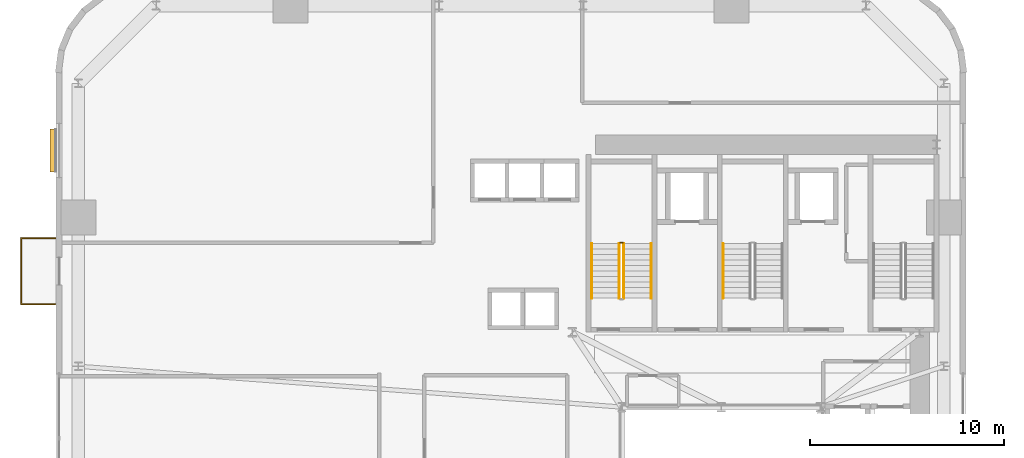
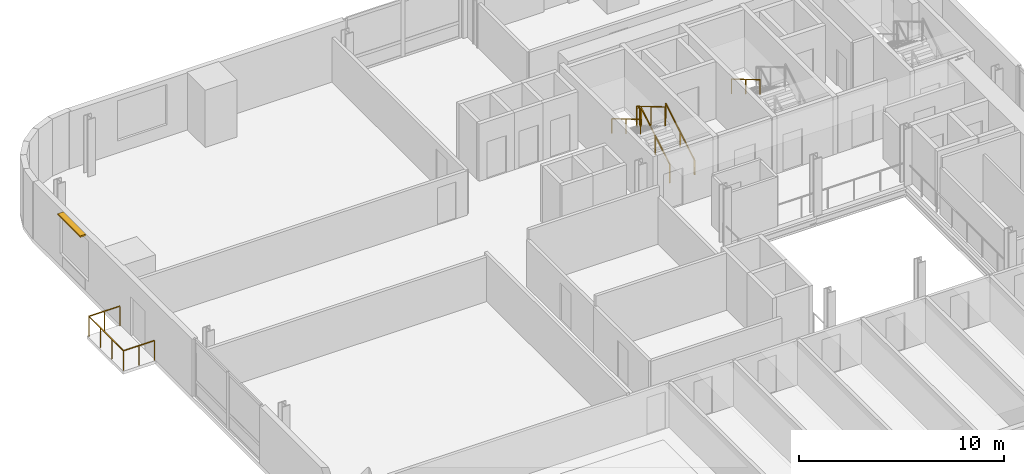
# One storey, part 12 of 13: 7 railings, 1 shading device.
"""IFC4 building model written with IfcOpenShell, lengths in metres."""

import ifcopenshell
import ifcopenshell.guid

model = None  # the IFC model being written
_history = None  # IfcOwnerHistory: only IFC2X3 demands one
_inside = {}  # id of a spatial element -> (the spatial element, [elements in it])
_under = {}  # id of a project, library or spatial element -> (it, [spatial elements below it])
_declared = {}  # id of a project -> (the project, [libraries it declares])
_typed = {}  # id of a type object -> (the type object, [elements of that type])
_made_of = {}  # id of a material, layer set ... -> (it, [elements and type objects made of it])


def new_model(schema):
    """Start an empty IFC model of exactly this schema.

    Asked for "IFC4X3", IfcOpenShell would pick the latest addendum, in which some entities
    have other attributes; the version numbers below select the first issue.
    IFC2X3 requires an IfcOwnerHistory on every rooted entity: one is made here for all.
    """
    global model, _history
    if schema == "IFC4X3":
        model = ifcopenshell.file(schema_version=(4, 3, 0, 0))
    else:
        model = ifcopenshell.file(schema=schema)
    _inside.clear()
    _under.clear()
    _declared.clear()
    _typed.clear()
    _made_of.clear()
    _history = None
    if model.schema == "IFC2X3":
        org = make("IfcOrganization", Name="unknown")
        user = make(
            "IfcPersonAndOrganization",
            ThePerson=make("IfcPerson", FamilyName="unknown"),
            TheOrganization=org,
        )
        app = make(
            "IfcApplication",
            ApplicationDeveloper=org,
            Version="unknown",
            ApplicationFullName="unknown",
            ApplicationIdentifier="unknown",
        )
        _history = make(
            "IfcOwnerHistory",
            OwningUser=user,
            OwningApplication=app,
            ChangeAction="ADDED",
            CreationDate=0,
        )
    return model


def make(cls, **values):
    """One entity of the class cls with the attributes given. An attribute that is None is left unset."""
    return model.create_entity(
        cls, **{name: value for name, value in values.items() if value is not None}
    )


def rooted(cls, **values):
    """An entity with a GlobalId (a new one), such as an element, a storey or a relation."""
    return make(cls, GlobalId=ifcopenshell.guid.new(), OwnerHistory=_history, **values)


def si_unit(unit_type, name, prefix=None):
    """IfcSIUnit, for example si_unit("LENGTHUNIT", "METRE", prefix="MILLI")."""
    return make("IfcSIUnit", UnitType=unit_type, Prefix=prefix, Name=name)


def assignment(units):
    """IfcUnitAssignment: the units of a project."""
    return None if units is None else make("IfcUnitAssignment", Units=units)


def point(xyz):
    """IfcCartesianPoint."""
    return None if xyz is None else make("IfcCartesianPoint", Coordinates=xyz)


def direction(xyz):
    """IfcDirection."""
    return None if xyz is None else make("IfcDirection", DirectionRatios=xyz)


def frame(location, z_axis=None, x_axis=None):
    """IfcAxis2Placement3D, a coordinate frame: its origin and axes. An axis left out is left unset."""
    return make(
        "IfcAxis2Placement3D",
        Location=point(location),
        Axis=direction(z_axis),
        RefDirection=direction(x_axis),
    )


def frame_2d(location, x_axis=None):
    """IfcAxis2Placement2D, a coordinate frame in the plane: its origin and x axis."""
    return make(
        "IfcAxis2Placement2D", Location=point(location), RefDirection=direction(x_axis)
    )


def origin():
    """The frame at (0, 0, 0) with its axes left unset."""
    return frame((0.0, 0.0, 0.0))


def origin_2d():
    """The frame at (0, 0) in the plane with its x axis left unset."""
    return frame_2d((0.0, 0.0))


def place(relative_to, where):
    """IfcLocalPlacement: puts the frame where relative to a parent placement (None: the world)."""
    return make(
        "IfcLocalPlacement", PlacementRelTo=relative_to, RelativePlacement=where
    )


def context(
    kind, dimensions, precision=None, world=None, true_north=None, identifier=None
):
    """IfcGeometricRepresentationContext, for example the 3D "Model" context."""
    return make(
        "IfcGeometricRepresentationContext",
        ContextIdentifier=identifier,
        ContextType=kind,
        CoordinateSpaceDimension=dimensions,
        Precision=precision,
        WorldCoordinateSystem=world,
        TrueNorth=true_north,
    )


def subcontext(parent, identifier, kind, view, scale=None):
    """IfcGeometricRepresentationSubContext, for example "Body" below "Model"."""
    return make(
        "IfcGeometricRepresentationSubContext",
        ContextIdentifier=identifier,
        ContextType=kind,
        ParentContext=parent,
        TargetScale=scale,
        TargetView=view,
    )


def project(units=None, contexts=None):
    """IfcProject with its units and contexts."""
    return rooted(
        "IfcProject",
        Name="project",
        RepresentationContexts=contexts,
        UnitsInContext=assignment(units),
    )


def spatial(cls, under=None, at=None, **own):
    """A site, building, storey or space (cls), placed at a placement, below another one or the project."""
    s = rooted(cls, ObjectPlacement=at, **own)
    if under is not None:
        _under.setdefault(under.id(), (under, []))[1].append(s)
    return s


def profile(cls, at=None, kind="AREA", **sizes):
    """A parametric profile (cls). Its sizes go by their IFC names, for example OverallWidth=200.0."""
    return make(cls, ProfileType=kind, Position=at, **sizes)


def rectangle(**sizes):
    """IfcRectangleProfileDef."""
    return profile("IfcRectangleProfileDef", **sizes)


def extrude(swept, where, along, depth):
    """IfcExtrudedAreaSolid: the profile swept, set in the frame where, extruded along a direction by depth."""
    return make(
        "IfcExtrudedAreaSolid",
        SweptArea=swept,
        Position=where,
        ExtrudedDirection=direction(along),
        Depth=depth,
    )


def shape(context_of_items, identifier, shape_type, items):
    """IfcShapeRepresentation: the items that make up one representation, for example the "Body"."""
    return make(
        "IfcShapeRepresentation",
        ContextOfItems=context_of_items,
        RepresentationIdentifier=identifier,
        RepresentationType=shape_type,
        Items=items,
    )


def source(mapping_origin, context_of_items, identifier, shape_type, items):
    """IfcRepresentationMap: a shape defined once, which mapped items show again and again."""
    return make(
        "IfcRepresentationMap",
        MappingOrigin=mapping_origin,
        MappedRepresentation=shape(context_of_items, identifier, shape_type, items),
    )


def transform(
    local_origin,
    x_axis=None,
    y_axis=None,
    z_axis=None,
    scale=None,
    scale2=None,
    scale3=None,
    uniform=True,
):
    """IfcCartesianTransformationOperator3D, or its non-uniform kind. x_axis, y_axis, z_axis: its Axis1, 2, 3."""
    if uniform:
        return make(
            "IfcCartesianTransformationOperator3D",
            Axis1=direction(x_axis),
            Axis2=direction(y_axis),
            LocalOrigin=point(local_origin),
            Scale=scale,
            Axis3=direction(z_axis),
        )
    return make(
        "IfcCartesianTransformationOperator3DnonUniform",
        Axis1=direction(x_axis),
        Axis2=direction(y_axis),
        LocalOrigin=point(local_origin),
        Scale=scale,
        Axis3=direction(z_axis),
        Scale2=scale2,
        Scale3=scale3,
    )


def mapped(mapping_source, mapping_target):
    """IfcMappedItem: shows the shape of a source again, moved by a transform."""
    return make(
        "IfcMappedItem", MappingSource=mapping_source, MappingTarget=mapping_target
    )


def material(Name=None, Category=None):
    """IfcMaterial."""
    return make("IfcMaterial", Name=Name, Category=Category)


def layer(
    of_material, thickness, ventilated=None, Name=None, Category=None, Priority=None
):
    """IfcMaterialLayer: one layer of a wall or slab, of a material (None: an air gap)."""
    return make(
        "IfcMaterialLayer",
        Material=of_material,
        LayerThickness=thickness,
        IsVentilated=ventilated,
        Name=Name,
        Category=Category,
        Priority=Priority,
    )


def layer_set(layers, Name=None):
    """IfcMaterialLayerSet."""
    return make("IfcMaterialLayerSet", MaterialLayers=layers, LayerSetName=Name)


def made_of(thing, what):
    """Note that an element or type object is made of a material, layer set ...; save() writes the relation."""
    if what is not None:
        _made_of.setdefault(what.id(), (what, []))[1].append(thing)
    return thing


def type_object(cls, material=None, **own):
    """A type object (cls), such as IfcWallType, which elements share."""
    return made_of(rooted(cls, **own), material)


def element(
    cls,
    number,
    at=None,
    inside=None,
    cuts=None,
    type_object=None,
    material=None,
    context=None,
    identifier="Body",
    shape_type=None,
    held_by="IfcProductDefinitionShape",
    body=None,
    shapes=None,
    **own,
):
    """One element of the class cls, such as IfcWall. Its Tag is "e" and its number.

    at: its placement. inside: the storey or other place that contains it. cuts: it is an
    opening in that element (IfcRelVoidsElement). A single representation is given by context,
    identifier, shape_type and body (its items); several are given by shapes. held_by: the class
    of the entity that holds the representations. save() writes the other relations.
    """
    e = rooted(cls, Tag="e%d" % number, ObjectPlacement=at, **own)
    if body is not None:
        shapes = [shape(context, identifier, shape_type, body)]
    if shapes is not None:
        e.Representation = make(held_by, Representations=shapes)
    if inside is not None:
        _inside.setdefault(inside.id(), (inside, []))[1].append(e)
    if cuts is not None:
        rooted(
            "IfcRelVoidsElement", RelatingBuildingElement=cuts, RelatedOpeningElement=e
        )
    if type_object is not None:
        _typed.setdefault(type_object.id(), (type_object, []))[1].append(e)
    return made_of(e, material)


def aggregate(whole, parts):
    """IfcRelAggregates: a whole, such as a stair, and the parts it consists of."""
    return rooted("IfcRelAggregates", RelatingObject=whole, RelatedObjects=parts)


def save(model, path):
    """Write the relations noted so far, then the file.

    IfcRelAggregates (storeys below a building ...), IfcRelContainedInSpatialStructure (elements
    in a storey), IfcRelDefinesByType, IfcRelAssociatesMaterial and IfcRelDeclares: one each for
    every whole, place, type object, material and project.
    """
    for whole, parts in _under.values():
        aggregate(whole, parts)
    for where, things in _inside.values():
        rooted(
            "IfcRelContainedInSpatialStructure",
            RelatedElements=things,
            RelatingStructure=where,
        )
    for kind, things in _typed.values():
        rooted("IfcRelDefinesByType", RelatedObjects=things, RelatingType=kind)
    for what, things in _made_of.values():
        rooted("IfcRelAssociatesMaterial", RelatedObjects=things, RelatingMaterial=what)
    for by, libraries in _declared.values():
        rooted("IfcRelDeclares", RelatingContext=by, RelatedDefinitions=libraries)
    model.write(path)


model = new_model("IFC4")

# Units and contexts
model_context = context("Model", 3, precision=1e-05, world=origin(), true_north=direction((0.0, 1.0)))
body_context = subcontext(model_context, "Body", "Model", "MODEL_VIEW")
ifc_project = project(units=[si_unit("LENGTHUNIT", "METRE"), si_unit("AREAUNIT", "SQUARE_METRE"), si_unit("VOLUMEUNIT", "CUBIC_METRE"), si_unit("PLANEANGLEUNIT", "RADIAN"), si_unit("MASSUNIT", "GRAM", prefix="KILO")], contexts=[model_context])

# Site, building, storey
site_placement = place(None, origin())
site = spatial("IfcSite", under=ifc_project, at=site_placement, CompositionType="ELEMENT")
building_placement = place(site_placement, origin())
building = spatial("IfcBuilding", under=site, at=building_placement, Name="Vardaveli Station Tower", CompositionType="ELEMENT")
storey_placement = place(building_placement, frame((0.0, 0.0, 64.10009765625)))
storey = spatial("IfcBuildingStorey", under=building, at=storey_placement, Name="L16", CompositionType="ELEMENT", Elevation=64.10009765625)

# Railing
ifc_material_1 = material(Name="Laminated glass and stainless steel balustrade", Category="steel")
railing_type_1 = type_object("IfcRailingType", Name="RL-BAL-1200", PredefinedType="BALUSTRADE", material=ifc_material_1)
shared_shape_1 = source(origin(), body_context, "Body", "SweptSolid", [
    extrude(rectangle(XDim=0.048095703125, YDim=0.048095703125, at=origin_2d()), frame((0.0, 0.0, 1.17578125), z_axis=(-1.0, 0.0, 0.0), x_axis=(0.0, -1.0, 0.0)), (0.0, 0.0, 1.0), 1.75),
    extrude(rectangle(XDim=0.048095703125, YDim=0.048095703125, at=origin_2d()), frame((-1.75, 0.0, 1.17578125), z_axis=(0.0, 1.0, 0.0), x_axis=(-1.0, 0.0, 0.0)), (0.0, 0.0, 1.0), 3.3798828125),
    extrude(rectangle(XDim=0.048095703125, YDim=0.048095703125, at=origin_2d()), frame((-1.75, 3.3798828125, 1.17578125), z_axis=(1.0, 0.0, 0.0), x_axis=(0.0, 1.0, 0.0)), (0.0, 0.0, 1.0), 1.75),
    extrude(rectangle(XDim=0.0419921875, YDim=0.0419921875, at=origin_2d()), origin(), (0.0, 0.0, 1.0), 1.15185546875),
    extrude(rectangle(XDim=0.0419921875, YDim=0.0419921875, at=origin_2d()), frame((-0.875, 0.0, 0.0)), (0.0, 0.0, 1.0), 1.15185546875),
    extrude(rectangle(XDim=0.0419921875, YDim=0.0419921875, at=origin_2d()), frame((-1.75, 0.0, 0.0)), (0.0, 0.0, 1.0), 1.15185546875),
    extrude(rectangle(XDim=0.0419921875, YDim=0.0419921875, at=origin_2d()), frame((-1.75, 1.126708984375, 0.0)), (0.0, 0.0, 1.0), 1.15185546875),
    extrude(rectangle(XDim=0.0419921875, YDim=0.0419921875, at=origin_2d()), frame((-1.75, 2.253173828125, 0.0)), (0.0, 0.0, 1.0), 1.15185546875),
    extrude(rectangle(XDim=0.0419921875, YDim=0.0419921875, at=origin_2d()), frame((-1.75, 3.3798828125, 0.0)), (0.0, 0.0, 1.0), 1.15185546875),
    extrude(rectangle(XDim=0.0419921875, YDim=0.0419921875, at=origin_2d()), frame((-0.875, 3.3798828125, 0.0)), (0.0, 0.0, 1.0), 1.15185546875),
    extrude(rectangle(XDim=0.0419921875, YDim=0.0419921875, at=origin_2d()), frame((0.0, 3.3798828125, 0.0)), (0.0, 0.0, 1.0), 1.15185546875),
])
railing_1_placement = place(storey_placement, frame((2.06005859375, 32.099609375, 0.0)))
element("IfcRailing", 1, at=railing_1_placement, inside=storey, type_object=railing_type_1, Name="RL-LOG-L16-03", PredefinedType="BALUSTRADE", context=body_context, shape_type="MappedRepresentation", body=[
    mapped(shared_shape_1, transform((0.0, 0.0, 0.0), scale=1.0)),
])

# Shading device
ifc_material_2 = material(Name="Anodised champagne aluminium sunshade", Category="aluminium")
ifc_layer = layer(ifc_material_2, 0.090087890625, Name="Anodised champagne aluminium sunshade")
ifc_layer_set = layer_set([ifc_layer], Name="Anodised champagne aluminium sunshade")
shading_device_type = type_object("IfcShadingDeviceType", Name="SHD-SUNSHADE", PredefinedType="USERDEFINED", material=ifc_layer_set)
shared_shape_2 = source(origin(), body_context, "Body", "SweptSolid", [
    extrude(rectangle(XDim=2.199951171875, YDim=0.320068359375, at=origin_2d()), origin(), (0.0, 0.0, 1.0), 0.090087890625),
])
shading_device_placement = place(storey_placement, frame((1.955078125, 39.9951171875, 3.2900390625), z_axis=(0.0, 0.0, 1.0), x_axis=(0.0, 1.0, 0.0)))
element("IfcShadingDevice", 2, at=shading_device_placement, inside=storey, type_object=shading_device_type, Name="SHD-SS-L16-W", ObjectType="SUNSHADE", PredefinedType="USERDEFINED", context=body_context, shape_type="MappedRepresentation", body=[
    mapped(shared_shape_2, transform((0.0, 0.0, 0.0), scale=1.0)),
])

# Railings
ifc_material_3 = material(Name="Brushed AISI 316 stainless steel", Category="steel")
railing_type_2 = type_object("IfcRailingType", Name="RL-GUARD-1150", PredefinedType="GUARDRAIL", material=ifc_material_3)
shared_shape_3 = source(origin(), body_context, "Body", "SweptSolid", [
    extrude(rectangle(XDim=0.048095703125, YDim=0.048095703125, at=origin_2d()), frame((0.0, 0.0, 1.1259765625), z_axis=(-1.0, 0.0, 0.0), x_axis=(0.0, -1.0, 0.0)), (0.0, 0.0, 1.0), 0.14990234375),
    extrude(rectangle(XDim=0.0419921875, YDim=0.0419921875, at=origin_2d()), origin(), (0.0, 0.0, 1.0), 1.101806640625),
    extrude(rectangle(XDim=0.0419921875, YDim=0.0419921875, at=origin_2d()), frame((-0.14990234375, 0.0, 0.0)), (0.0, 0.0, 1.0), 1.101806640625),
])
railing_2_placement = place(storey_placement, frame((31.25, 35.25, 1.824951171875)))
element("IfcRailing", 3, at=railing_2_placement, inside=storey, type_object=railing_type_2, Name="L16 ST-1 stair guard 2", PredefinedType="GUARDRAIL", context=body_context, shape_type="MappedRepresentation", body=[
    mapped(shared_shape_3, transform((0.0, 0.0, 0.0), scale=1.0)),
])
shared_shape_4 = source(origin(), body_context, "Body", "SweptSolid", [
    extrude(rectangle(XDim=0.048095703125, YDim=0.048095703125, at=origin_2d()), frame((0.0, 0.0, 1.1259765625), z_axis=(0.0, 0.860306154799, 0.50977771628), x_axis=(-1.0, 0.0, 0.0)), (0.0, 0.0, 1.0), 3.254638671875),
    extrude(rectangle(XDim=0.0419921875, YDim=0.0419921875, at=origin_2d()), origin(), (0.0, 0.0, 1.0), 1.101806640625),
    extrude(rectangle(XDim=0.0419921875, YDim=0.0419921875, at=origin_2d()), frame((0.0, 1.39990234375, 0.82958984375)), (0.0, 0.0, 1.0), 1.101806640625),
    extrude(rectangle(XDim=0.0419921875, YDim=0.0419921875, at=origin_2d()), frame((0.0, 2.800048828125, 1.6591796875)), (0.0, 0.0, 1.0), 1.101806640625),
])
railing_3_placement = place(storey_placement, frame((31.300048828125, 32.39990234375, 0.165771484375)))
element("IfcRailing", 4, at=railing_3_placement, inside=storey, type_object=railing_type_2, Name="L16 ST-1 stair guard 1", PredefinedType="GUARDRAIL", context=body_context, shape_type="MappedRepresentation", body=[
    mapped(shared_shape_4, transform((0.0, 0.0, 0.0), scale=1.0)),
])
shared_shape_5 = source(origin(), body_context, "Body", "SweptSolid", [
    extrude(rectangle(XDim=0.048095703125, YDim=0.048095703125, at=origin_2d()), frame((0.0, 0.0, 1.1259765625), z_axis=(0.0, -0.860306154799, 0.50977771628), x_axis=(1.0, 0.0, 0.0)), (0.0, 0.0, 1.0), 3.254638671875),
    extrude(rectangle(XDim=0.0419921875, YDim=0.0419921875, at=origin_2d()), origin(), (0.0, 0.0, 1.0), 1.101806640625),
    extrude(rectangle(XDim=0.0419921875, YDim=0.0419921875, at=origin_2d()), frame((0.0, -1.39990234375, 0.82958984375)), (0.0, 0.0, 1.0), 1.101806640625),
    extrude(rectangle(XDim=0.0419921875, YDim=0.0419921875, at=origin_2d()), frame((0.0, -2.800048828125, 1.6591796875)), (0.0, 0.0, 1.0), 1.101806640625),
])
railing_4_placement = place(storey_placement, frame((31.050048828125, 35.199951171875, 1.99072265625)))
element("IfcRailing", 5, at=railing_4_placement, inside=storey, type_object=railing_type_2, Name="L16 ST-1 stair guard 3", PredefinedType="GUARDRAIL", context=body_context, shape_type="MappedRepresentation", body=[
    mapped(shared_shape_5, transform((0.0, 0.0, 0.0), scale=1.0)),
])
railing_type_3 = type_object("IfcRailingType", Name="RL-HAND-900", PredefinedType="HANDRAIL", material=ifc_material_3)
shared_shape_6 = source(origin(), body_context, "Body", "SweptSolid", [
    extrude(rectangle(XDim=0.048095703125, YDim=0.048095703125, at=origin_2d()), frame((0.0, 0.0, 0.8759765625), z_axis=(0.0, 0.860306154799, 0.50977771628), x_axis=(-1.0, 0.0, 0.0)), (0.0, 0.0, 1.0), 3.254638671875),
    extrude(rectangle(XDim=0.0419921875, YDim=0.0419921875, at=origin_2d()), origin(), (0.0, 0.0, 1.0), 0.851806640625),
    extrude(rectangle(XDim=0.0419921875, YDim=0.0419921875, at=origin_2d()), frame((0.0, 1.39990234375, 0.82958984375)), (0.0, 0.0, 1.0), 0.851806640625),
    extrude(rectangle(XDim=0.0419921875, YDim=0.0419921875, at=origin_2d()), frame((0.0, 2.800048828125, 1.6591796875)), (0.0, 0.0, 1.0), 0.851806640625),
])
railing_5_placement = place(storey_placement, frame((32.699951171875, 32.39990234375, 0.165771484375)))
element("IfcRailing", 6, at=railing_5_placement, inside=storey, type_object=railing_type_3, Name="L16 ST-1 stair handrail 1", PredefinedType="HANDRAIL", context=body_context, shape_type="MappedRepresentation", body=[
    mapped(shared_shape_6, transform((0.0, 0.0, 0.0), scale=1.0)),
])
shared_shape_7 = source(origin(), body_context, "Body", "SweptSolid", [
    extrude(rectangle(XDim=0.048095703125, YDim=0.048095703125, at=origin_2d()), frame((0.0, 0.0, 0.8759765625), z_axis=(0.0, -0.860306154799, 0.50977771628), x_axis=(1.0, 0.0, 0.0)), (0.0, 0.0, 1.0), 3.254638671875),
    extrude(rectangle(XDim=0.0419921875, YDim=0.0419921875, at=origin_2d()), origin(), (0.0, 0.0, 1.0), 0.851806640625),
    extrude(rectangle(XDim=0.0419921875, YDim=0.0419921875, at=origin_2d()), frame((0.0, -1.39990234375, 0.82958984375)), (0.0, 0.0, 1.0), 0.851806640625),
    extrude(rectangle(XDim=0.0419921875, YDim=0.0419921875, at=origin_2d()), frame((0.0, -2.800048828125, 1.6591796875)), (0.0, 0.0, 1.0), 0.851806640625),
])
for number, where, name in (
    (7, (29.64990234375, 35.199951171875, 1.99072265625), "L16 ST-1 stair handrail 2"),
    (8, (36.39990234375, 35.199951171875, 1.99072265625), "L16 ST-2 stair handrail 2"),
):
    element("IfcRailing", number, at=place(storey_placement, frame(where)), inside=storey, type_object=railing_type_3, Name=name, PredefinedType="HANDRAIL", context=body_context, shape_type="MappedRepresentation", body=[
        mapped(shared_shape_7, transform((0.0, 0.0, 0.0), scale=1.0)),
    ])

save(model, "model.ifc")
